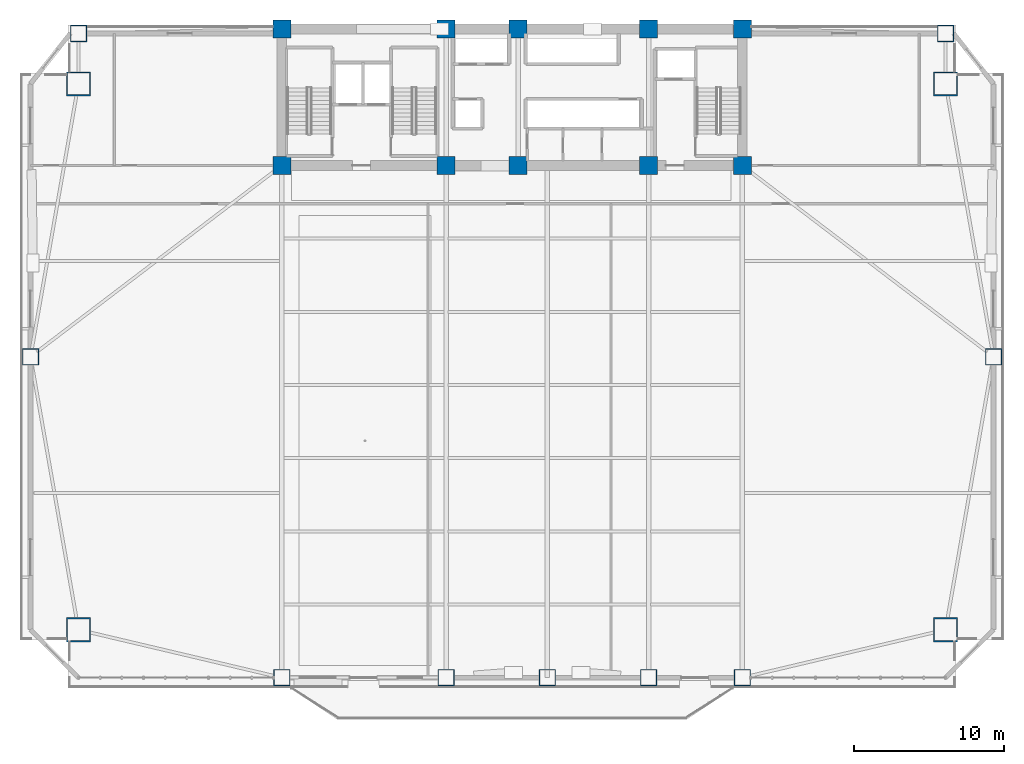
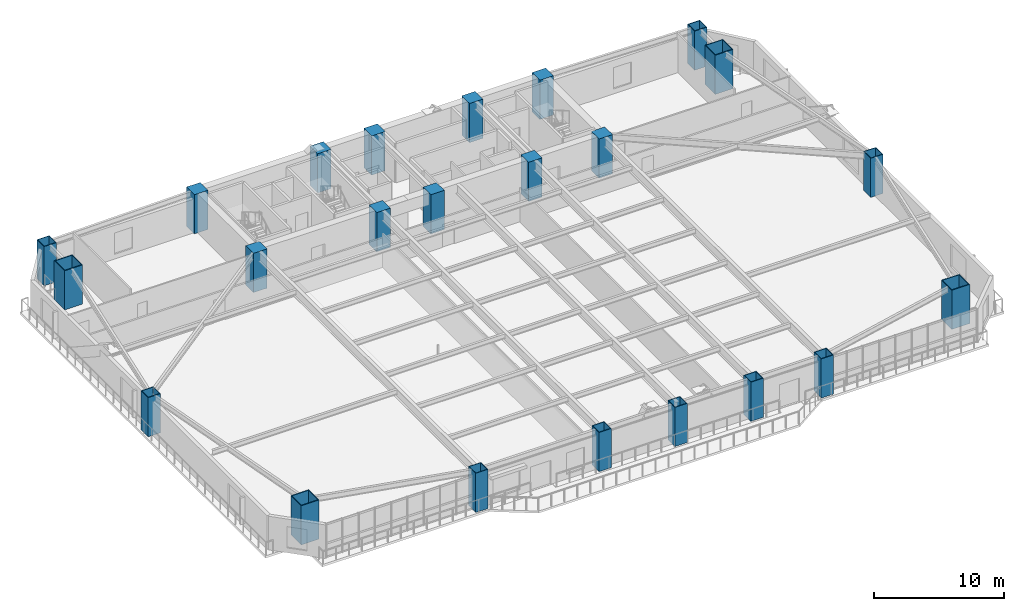
# One storey, part 1 of 17: 23 columns.
"""IFC4 building model written with IfcOpenShell, lengths in metres."""

from ifc_helpers import new_model, si_unit, direction, frame, origin, origin_2d, place, context, subcontext, project, spatial, rectangle, hollow_rectangle, extrude, source, transform, mapped, material, material_profile, profile_set, type_object, element, save


model = new_model("IFC4")

# Units and contexts
model_context = context("Model", 3, precision=1e-05, world=origin(), true_north=direction((0.0, 1.0)))
body_context = subcontext(model_context, "Body", "Model", "MODEL_VIEW")
ifc_project = project(units=[si_unit("LENGTHUNIT", "METRE"), si_unit("AREAUNIT", "SQUARE_METRE"), si_unit("VOLUMEUNIT", "CUBIC_METRE"), si_unit("PLANEANGLEUNIT", "RADIAN"), si_unit("MASSUNIT", "GRAM", prefix="KILO")], contexts=[model_context])

# Site, building, storey
site_placement = place(None, origin())
site = spatial("IfcSite", under=ifc_project, at=site_placement, CompositionType="ELEMENT")
building_placement = place(site_placement, origin())
building = spatial("IfcBuilding", under=site, at=building_placement, Name="Giltprow Tower", CompositionType="ELEMENT")
storey_placement = place(building_placement, frame((0.0, 0.0, 29.300048828125)))
storey = spatial("IfcBuildingStorey", under=building, at=storey_placement, Name="L07", CompositionType="ELEMENT", Elevation=29.300048828125)

# Columns
ifc_material_1 = material(Name="Concrete C60", Category="concrete")
ifc_material_profile_1 = material_profile(ifc_material_1, rectangle(XDim=1.199951171875, YDim=1.199951171875, at=origin_2d()), Name="RC 1200x1200")
ifc_profile_set_1 = profile_set([ifc_material_profile_1], Name="Concrete C60")
column_type_1 = type_object("IfcColumnType", Name="PIL-RC-1200-C60", PredefinedType="PILASTER", material=ifc_profile_set_1)
shared_shape_1 = source(origin(), body_context, "Body", "SweptSolid", [
    extrude(rectangle(XDim=1.199951171875, YDim=1.199951171875, at=origin_2d()), origin(), (0.0, 0.0, 1.0), 3.679931640625),
])
for number, where, z_axis, x_axis, name in (
    (1, (19.85009765625, 37.449951171875, 0.0), (0.0, 0.0, 1.0), (1.0, 0.0, 0.0), "L07 Core Boundary Pilaster 1-1"),
    (2, (19.85009765625, 46.550048828125, 0.0), (0.0, 0.0, 1.0), (1.0, 0.0, 0.0), "L07 Core Boundary Pilaster 1-2"),
    (3, (30.800048828125, 37.449951171875, 0.0), (0.0, 0.0, 1.0), (1.0, 0.0, 0.0), "L07 Core Boundary Pilaster 2-1"),
    (4, (30.800048828125, 46.550048828125, 0.0), (0.0, 0.0, 1.0), (1.0, 0.0, 0.0), "L07 Core Boundary Pilaster 2-2"),
    (5, (35.60009765625, 37.449951171875, 0.0), (0.0, 0.0, 1.0), (1.0, 0.0, 0.0), "L07 Core Boundary Pilaster 3-1"),
    (6, (35.60009765625, 46.550048828125, 0.0), (0.0, 0.0, 1.0), (1.0, 0.0, 0.0), "L07 Core Boundary Pilaster 3-2"),
    (7, (44.300048828125, 37.449951171875, 0.0), (0.0, 0.0, 1.0), (1.0, 0.0, 0.0), "L07 Core Boundary Pilaster 4-1"),
    (8, (44.300048828125, 46.550048828125, 0.0), (0.0, 0.0, 1.0), (1.0, 0.0, 0.0), "L07 Core Boundary Pilaster 4-2"),
    (9, (50.550048828125, 37.449951171875, 0.0), (0.0, 0.0, 1.0), (1.0, 0.0, 0.0), "L07 Core Boundary Pilaster 5-1"),
    (10, (50.550048828125, 46.550048828125, 0.0), (0.0, 0.0, 1.0), (1.0, 0.0, 0.0), "L07 Core Boundary Pilaster 5-2"),
):
    element("IfcColumn", number, at=place(storey_placement, frame(where, z_axis=z_axis, x_axis=x_axis)), inside=storey, type_object=column_type_1, Name=name, PredefinedType="PILASTER", context=body_context, shape_type="MappedRepresentation", body=[
        mapped(shared_shape_1, transform((0.0, 0.0, 0.0), x_axis=(1.0, 0.0, 0.0), y_axis=(0.0, 1.0, 0.0), z_axis=(0.0, 0.0, 1.0), scale=1.0)),
    ])
ifc_material_2 = material(Name="Structural steel Q420GJC", Category="steel")
ifc_material_profile_2 = material_profile(ifc_material_2, hollow_rectangle(XDim=1.60009765625, YDim=1.60009765625, WallThickness=0.074951171875, at=origin_2d()), Name="BOX 1600x1600x75")
ifc_profile_set_2 = profile_set([ifc_material_profile_2], Name="Structural steel Q420GJC")
column_type_2 = type_object("IfcColumnType", Name="COL-BOX-1600x1600x75", PredefinedType="COLUMN", material=ifc_profile_set_2)
shared_shape_2 = source(origin(), body_context, "Body", "SweptSolid", [
    extrude(hollow_rectangle(XDim=1.60009765625, YDim=1.60009765625, WallThickness=0.074951171875, at=origin_2d()), origin(), (0.0, 0.0, 1.0), 3.679931640625),
])
for number, where, z_axis, x_axis, name in (
    (11, (6.300048828125, 6.5, 0.0), (0.0, 0.0, 1.0), (1.0, 0.0, 0.0), "L07 Mega-Column MC_SW"),
    (12, (64.10009765625, 6.5, 0.0), (0.0, 0.0, 1.0), (1.0, 0.0, 0.0), "L07 Mega-Column MC_SE"),
    (13, (6.300048828125, 42.89990234375, 0.0), (0.0, 0.0, 1.0), (1.0, 0.0, 0.0), "L07 Mega-Column MC_NW"),
    (14, (64.10009765625, 42.89990234375, 0.0), (0.0, 0.0, 1.0), (1.0, 0.0, 0.0), "L07 Mega-Column MC_NE"),
):
    element("IfcColumn", number, at=place(storey_placement, frame(where, z_axis=z_axis, x_axis=x_axis)), inside=storey, type_object=column_type_2, Name=name, PredefinedType="COLUMN", context=body_context, shape_type="MappedRepresentation", body=[
        mapped(shared_shape_2, transform((0.0, 0.0, 0.0), x_axis=(1.0, 0.0, 0.0), y_axis=(0.0, 1.0, 0.0), z_axis=(0.0, 0.0, 1.0), scale=1.0)),
    ])
ifc_material_profile_3 = material_profile(ifc_material_2, hollow_rectangle(XDim=1.10009765625, YDim=1.10009765625, WallThickness=0.050048828125, at=origin_2d()), Name="BOX 1100x1100x50")
ifc_profile_set_3 = profile_set([ifc_material_profile_3], Name="Structural steel Q420GJC")
column_type_3 = type_object("IfcColumnType", Name="COL-BOX-1100x1100x50", PredefinedType="COLUMN", material=ifc_profile_set_3)
shared_shape_3 = source(origin(), body_context, "Body", "SweptSolid", [
    extrude(hollow_rectangle(XDim=1.10009765625, YDim=1.10009765625, WallThickness=0.050048828125, at=origin_2d()), origin(), (0.0, 0.0, 1.0), 3.679931640625),
])
for number, where, z_axis, x_axis, name in (
    (15, (19.85009765625, 3.300048828125, 0.0), (0.0, 0.0, 1.0), (1.0, 0.0, 0.0), "L07 Perimeter Column S1"),
    (16, (30.800048828125, 3.300048828125, 0.0), (0.0, 0.0, 1.0), (1.0, 0.0, 0.0), "L07 Perimeter Column S2"),
    (17, (37.550048828125, 3.300048828125, 0.0), (0.0, 0.0, 1.0), (1.0, 0.0, 0.0), "L07 Perimeter Column S_MID"),
    (18, (44.300048828125, 3.300048828125, 0.0), (0.0, 0.0, 1.0), (1.0, 0.0, 0.0), "L07 Perimeter Column S3"),
    (19, (50.550048828125, 3.300048828125, 0.0), (0.0, 0.0, 1.0), (1.0, 0.0, 0.0), "L07 Perimeter Column S4"),
    (20, (3.10009765625, 24.699951171875, 0.0), (0.0, 0.0, 1.0), (1.0, 0.0, 0.0), "L07 Perimeter Column W_MID"),
    (21, (67.300048828125, 24.699951171875, 0.0), (0.0, 0.0, 1.0), (1.0, 0.0, 0.0), "L07 Perimeter Column E_MID"),
    (22, (6.300048828125, 46.25, 0.0), (0.0, 0.0, 1.0), (1.0, 0.0, 0.0), "L07 Perimeter Column N_W"),
    (23, (64.10009765625, 46.25, 0.0), (0.0, 0.0, 1.0), (1.0, 0.0, 0.0), "L07 Perimeter Column N_E"),
):
    element("IfcColumn", number, at=place(storey_placement, frame(where, z_axis=z_axis, x_axis=x_axis)), inside=storey, type_object=column_type_3, Name=name, PredefinedType="COLUMN", context=body_context, shape_type="MappedRepresentation", body=[
        mapped(shared_shape_3, transform((0.0, 0.0, 0.0), x_axis=(1.0, 0.0, 0.0), y_axis=(0.0, 1.0, 0.0), z_axis=(0.0, 0.0, 1.0), scale=1.0)),
    ])

save(model, "model.ifc")
